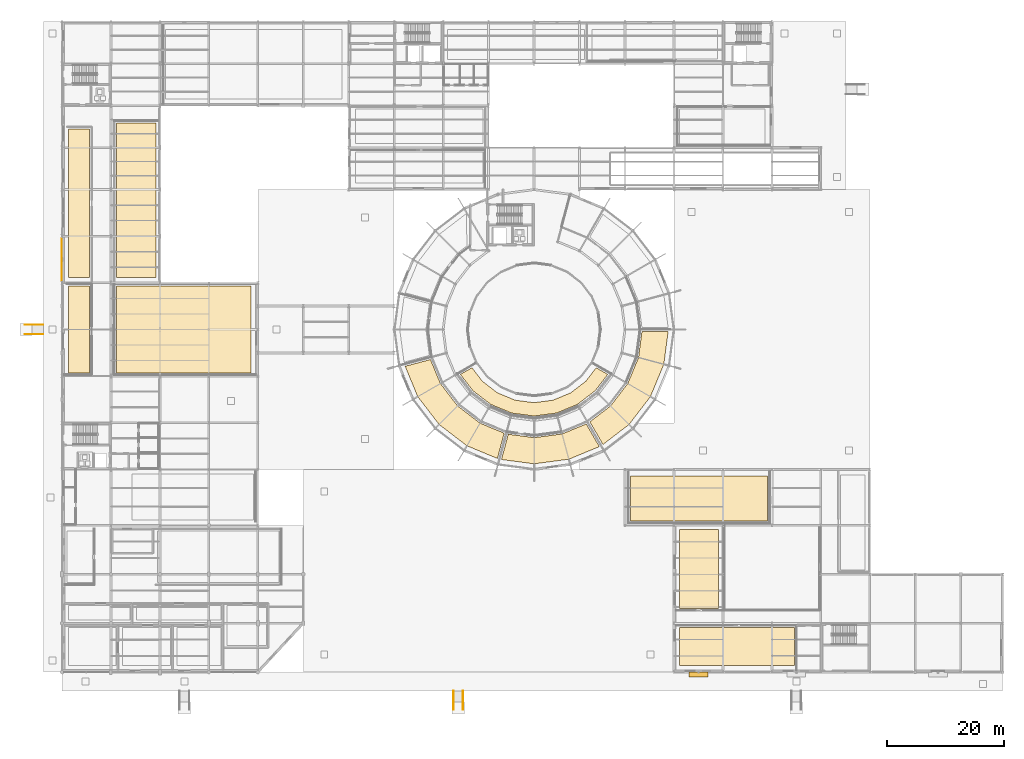
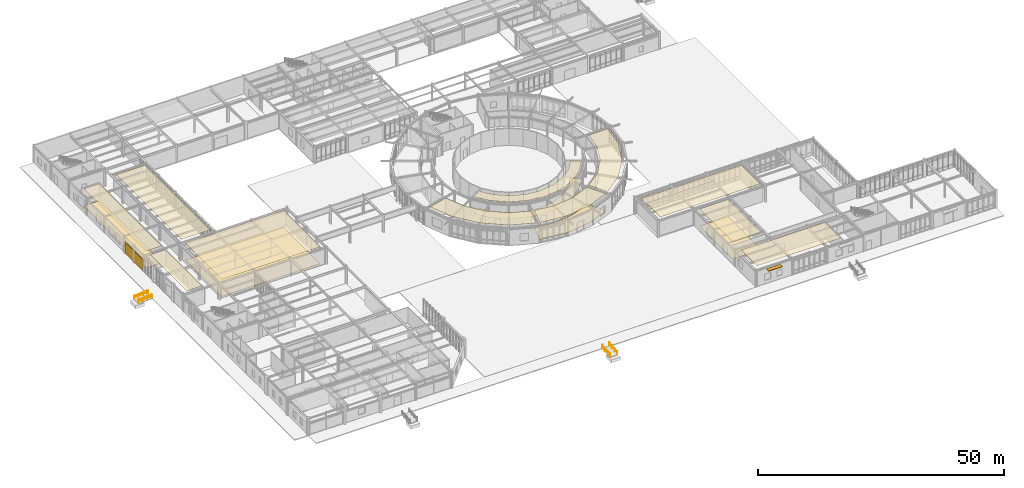
# One storey, part 93 of 101: 17 coverings, 4 railings, 1 shading device.
"""IFC4 building model written with IfcOpenShell, lengths in metres."""

from ifc_helpers import new_model, si_unit, derived_unit, direction, frame, origin, origin_2d, place, context, subcontext, project, spatial, polyline, rectangle, circle, outline, extrude, material, layer, layer_set, type_object, element, save


model = new_model("IFC4")

# Units and contexts
model_context = context("Model", 3, precision=1e-05, world=origin(), true_north=direction((0.0, 1.0)))
body_context = subcontext(model_context, "Body", "Model", "MODEL_VIEW")
ifc_project = project(units=[si_unit("LENGTHUNIT", "METRE"), si_unit("AREAUNIT", "SQUARE_METRE"), si_unit("VOLUMEUNIT", "CUBIC_METRE"), si_unit("PLANEANGLEUNIT", "RADIAN"), si_unit("MASSUNIT", "GRAM", prefix="KILO"), derived_unit("THERMALTRANSMITTANCEUNIT", [(si_unit("POWERUNIT", "WATT"), 1), (si_unit("AREAUNIT", "SQUARE_METRE"), -1), (si_unit("THERMODYNAMICTEMPERATUREUNIT", "KELVIN"), -1)])], contexts=[model_context])

# Site, building, storey
site_placement = place(None, origin())
site = spatial("IfcSite", under=ifc_project, at=site_placement, CompositionType="ELEMENT")
building_placement = place(site_placement, origin())
building = spatial("IfcBuilding", under=site, at=building_placement, Name="Yasenodar Specialist Clinic", CompositionType="ELEMENT")
storey_placement = place(building_placement, origin())
storey = spatial("IfcBuildingStorey", under=building, at=storey_placement, Name="L00", CompositionType="ELEMENT", Elevation=0.0)

# Coverings
ifc_material_1 = material(Name="Hygienic Acoustic Mineral-Fibre Ceiling")
ifc_layer_1 = layer(ifc_material_1, 0.02490234375)
ifc_layer_set_1 = layer_set([ifc_layer_1], Name="Hygienic Acoustic Mineral-Fibre Ceiling")
covering_type_1 = type_object("IfcCoveringType", Name="COV-CEIL-AC", PredefinedType="CEILING", material=ifc_layer_set_1)
covering_1_placement = place(storey_placement, frame((0.0, 0.0, 4.22509765625)))
element("IfcCovering", 1, at=covering_1_placement, inside=storey, type_object=covering_type_1, Name="L00 Dialysis Treatment Suite B Acoustic Ceiling", PredefinedType="CEILING", context=body_context, shape_type="SweptSolid", body=[
    extrude(outline(polyline([(64.943115234375, 49.511962890625), (64.9609375, 49.487060546875), (67.85302734375, 45.718017578125), (67.873046875, 45.694091796875), (67.89404296875, 45.673095703125), (67.91796875, 45.653076171875), (71.68701171875, 42.760986328125), (71.7119140625, 42.742919921875), (71.738037109375, 42.72802734375), (71.76611328125, 42.715087890625), (75.8720703125, 41.013916015625), (74.708984375, 36.673095703125), (69.47705078125, 38.841064453125), (64.702880859375, 42.5029296875), (61.041015625, 47.277099609375), (58.881103515625, 52.489990234375), (63.221923828125, 53.653076171875), (64.9150390625, 49.56591796875), (64.927978515625, 49.5380859375), (64.943115234375, 49.511962890625)])), origin(), (0.0, 0.0, 1.0), 0.02490234375),
])
covering_2_placement = place(storey_placement, frame((0.0, 0.0, 4.22509765625)))
element("IfcCovering", 2, at=covering_2_placement, inside=storey, type_object=covering_type_1, Name="L00 Infusion Nurse Preparation Station Acoustic Ceiling", PredefinedType="CEILING", context=body_context, shape_type="SweptSolid", body=[
    extrude(outline(polyline([(81.014892578125, 40.25), (81.0458984375, 40.2529296875), (85.756103515625, 40.873046875), (85.785888671875, 40.8779296875), (85.81591796875, 40.885986328125), (85.843994140625, 40.89697265625), (89.949951171875, 42.596923828125), (92.197021484375, 38.7060546875), (86.965087890625, 36.5380859375), (81.0, 35.7529296875), (75.405029296875, 36.489990234375), (76.568115234375, 40.830078125), (80.9541015625, 40.2529296875), (80.985107421875, 40.25), (81.014892578125, 40.25)])), origin(), (0.0, 0.0, 1.0), 0.02490234375),
])
covering_3_placement = place(storey_placement, frame((0.0, 0.0, 4.22509765625)))
element("IfcCovering", 3, at=covering_3_placement, inside=storey, type_object=covering_type_1, Name="L00 Immunotherapy Infusion Suite Acoustic Ceiling", PredefinedType="CEILING", context=body_context, shape_type="SweptSolid", body=[
    extrude(outline(polyline([(97.297119140625, 42.5029296875), (92.820068359375, 39.068115234375), (90.572998046875, 42.9599609375), (94.08203125, 45.653076171875), (94.10595703125, 45.673095703125), (94.126953125, 45.694091796875), (94.14697265625, 45.718017578125), (97.0390625, 49.487060546875), (97.056884765625, 49.511962890625), (97.072021484375, 49.5380859375), (97.0849609375, 49.56591796875), (98.903076171875, 53.9560546875), (98.9140625, 53.98388671875), (98.922119140625, 54.013916015625), (98.927001953125, 54.0439453125), (99.50390625, 58.429931640625), (103.998046875, 58.429931640625), (103.261962890625, 52.8349609375), (100.958984375, 47.277099609375), (97.297119140625, 42.5029296875)])), origin(), (0.0, 0.0, 1.0), 0.02490234375),
])
covering_4_placement = place(storey_placement, frame((0.0, 0.0, 4.22509765625)))
element("IfcCovering", 4, at=covering_4_placement, inside=storey, type_object=covering_type_1, Name="L00 Patient Nutrition and Counseling Room Acoustic Ceiling", PredefinedType="CEILING", context=body_context, shape_type="SweptSolid", body=[
    extrude(outline(polyline([(72.114990234375, 49.93701171875), (72.136962890625, 49.9150390625), (72.159912109375, 49.89599609375), (74.68701171875, 47.95703125), (74.7119140625, 47.93896484375), (74.738037109375, 47.924072265625), (74.76611328125, 47.910888671875), (77.7080078125, 46.69189453125), (77.737060546875, 46.681884765625), (77.76708984375, 46.674072265625), (77.797119140625, 46.6689453125), (80.9541015625, 46.2529296875), (80.985107421875, 46.25), (81.014892578125, 46.25), (81.0458984375, 46.2529296875), (84.202880859375, 46.6689453125), (84.23291015625, 46.674072265625), (84.262939453125, 46.681884765625), (84.2919921875, 46.69189453125), (87.23388671875, 47.910888671875), (87.261962890625, 47.924072265625), (87.2880859375, 47.93896484375), (87.31298828125, 47.95703125), (89.840087890625, 49.89599609375), (89.863037109375, 49.9150390625), (89.885009765625, 49.93701171875), (89.904052734375, 49.9599609375), (91.656005859375, 52.242919921875), (93.64306640625, 51.095947265625), (91.498046875, 48.302001953125), (88.423095703125, 45.94189453125), (84.843017578125, 44.458984375), (81.0, 43.952880859375), (77.156982421875, 44.458984375), (73.576904296875, 45.94189453125), (70.501953125, 48.302001953125), (68.35693359375, 51.095947265625), (70.343994140625, 52.242919921875), (72.095947265625, 49.9599609375), (72.114990234375, 49.93701171875)])), origin(), (0.0, 0.0, 1.0), 0.02490234375),
])
covering_5_placement = place(storey_placement, frame((0.0, 0.0, 4.22509765625)))
element("IfcCovering", 5, at=covering_5_placement, inside=storey, type_object=covering_type_1, Name="L00 Charbagh Conservatory Concourse Acoustic Ceiling", PredefinedType="CEILING", context=body_context, shape_type="SweptSolid", body=[
    extrude(outline(polyline([(121.050048828125, 25.949951171875), (97.550048828125, 25.949951171875), (97.550048828125, 33.64990234375), (121.050048828125, 33.64990234375), (121.050048828125, 25.949951171875)])), origin(), (0.0, 0.0, 1.0), 0.02490234375),
])
covering_6_placement = place(storey_placement, frame((0.0, 0.0, 4.22509765625)))
element("IfcCovering", 6, at=covering_6_placement, inside=storey, type_object=covering_type_1, Name="L00 Aquatic Therapy Accessible Changing Suite Acoustic Ceiling", PredefinedType="CEILING", context=body_context, shape_type="SweptSolid", body=[
    extrude(outline(polyline([(112.64990234375, 24.449951171875), (112.64990234375, 10.949951171875), (105.949951171875, 10.949951171875), (105.949951171875, 24.449951171875), (112.64990234375, 24.449951171875)])), origin(), (0.0, 0.0, 1.0), 0.02490234375),
])
covering_7_placement = place(storey_placement, frame((0.0, 0.0, 4.22509765625)))
element("IfcCovering", 7, at=covering_7_placement, inside=storey, type_object=covering_type_1, Name="L00 Physiotherapy Kinesiotherapy Gym Acoustic Ceiling", PredefinedType="CEILING", context=body_context, shape_type="SweptSolid", body=[
    extrude(outline(polyline([(125.64990234375, 1.14990234375), (105.949951171875, 1.14990234375), (105.949951171875, 7.64990234375), (125.64990234375, 7.64990234375), (125.64990234375, 1.14990234375)])), origin(), (0.0, 0.0, 1.0), 0.02490234375),
])
covering_8_placement = place(storey_placement, frame((0.0, 0.0, 4.22509765625)))
element("IfcCovering", 8, at=covering_8_placement, inside=storey, type_object=covering_type_1, Name="L00 Pishtaq Entrance Hall Acoustic Ceiling", PredefinedType="CEILING", context=body_context, shape_type="SweptSolid", body=[
    extrude(outline(polyline([(4.75, 51.35009765625), (1.14990234375, 51.35009765625), (1.14990234375, 66.25), (4.75, 66.25), (4.75, 51.35009765625)])), origin(), (0.0, 0.0, 1.0), 0.02490234375),
])
covering_9_placement = place(storey_placement, frame((0.0, 0.0, 4.22509765625)))
element("IfcCovering", 9, at=covering_9_placement, inside=storey, type_object=covering_type_1, Name="L00 Outpatient Registration and Triage Hall Acoustic Ceiling", PredefinedType="CEILING", context=body_context, shape_type="SweptSolid", body=[
    extrude(outline(polyline([(32.449951171875, 51.35009765625), (9.35009765625, 51.35009765625), (9.35009765625, 66.25), (32.449951171875, 66.25), (32.449951171875, 51.35009765625)])), origin(), (0.0, 0.0, 1.0), 0.02490234375),
])
covering_10_placement = place(storey_placement, frame((0.0, 0.0, 4.22509765625)))
element("IfcCovering", 10, at=covering_10_placement, inside=storey, type_object=covering_type_1, Name="L00 Internal Medicine Examination Rooms Acoustic Ceiling", PredefinedType="CEILING", context=body_context, shape_type="SweptSolid", body=[
    extrude(outline(polyline([(4.75, 93.199951171875), (4.75, 67.75), (1.14990234375, 67.75), (1.14990234375, 93.199951171875), (4.75, 93.199951171875)])), origin(), (0.0, 0.0, 1.0), 0.02490234375),
])
covering_11_placement = place(storey_placement, frame((0.0, 0.0, 4.22509765625)))
element("IfcCovering", 11, at=covering_11_placement, inside=storey, type_object=covering_type_1, Name="L00 Family Medicine Consulting Suite Acoustic Ceiling", PredefinedType="CEILING", context=body_context, shape_type="SweptSolid", body=[
    extrude(outline(polyline([(16.10009765625, 94.25), (16.10009765625, 67.75), (9.35009765625, 67.75), (9.35009765625, 94.25), (16.10009765625, 94.25)])), origin(), (0.0, 0.0, 1.0), 0.02490234375),
])
ifc_material_2 = material(Name="Kapustianske Red Granite Ashlar Cladding", Category="masonry")
ifc_layer_2 = layer(ifc_material_2, 0.0400390625)
ifc_layer_set_2 = layer_set([ifc_layer_2], Name="Kapustianske Red Granite Ashlar Cladding")
covering_type_2 = type_object("IfcCoveringType", Name="COV-CLAD-GRAN", PredefinedType="CLADDING", material=ifc_layer_set_2)
covering_12_placement = place(storey_placement, frame((-0.028076171875, 70.800048828125, 0.14990234375), z_axis=(0.0, 0.0, 1.0), x_axis=(0.0, 1.0, 0.0)))
element("IfcCovering", 12, at=covering_12_placement, inside=storey, type_object=covering_type_2, Name="L00 Granite Ashlar Rainscreen Panel 0083", PredefinedType="CLADDING", context=body_context, shape_type="SweptSolid", body=[
    extrude(rectangle(XDim=7.300048828125, YDim=0.0400390625, at=origin_2d()), origin(), (0.0, 0.0, 1.0), 2.778076171875),
])
ifc_material_3 = material(Name="Seamless Epoxy Terrazzo Clinical Flooring")
ifc_layer_3 = layer(ifc_material_3, 0.02001953125)
ifc_layer_set_3 = layer_set([ifc_layer_3], Name="Seamless Epoxy Terrazzo Clinical Flooring")
covering_type_3 = type_object("IfcCoveringType", Name="COV-FLR-TERR", PredefinedType="FLOORING", material=ifc_layer_set_3)
covering_13_placement = place(storey_placement, origin())
element("IfcCovering", 13, at=covering_13_placement, inside=storey, type_object=covering_type_3, Name="L00 Infusion Nurse Preparation Station Terrazzo Flooring", PredefinedType="FLOORING", context=body_context, shape_type="SweptSolid", body=[
    extrude(outline(polyline([(81.014892578125, 40.25), (81.0458984375, 40.2529296875), (85.756103515625, 40.873046875), (85.785888671875, 40.8779296875), (85.81591796875, 40.885986328125), (85.843994140625, 40.89697265625), (89.949951171875, 42.596923828125), (92.197021484375, 38.7060546875), (86.965087890625, 36.5380859375), (81.0, 35.7529296875), (75.405029296875, 36.489990234375), (76.568115234375, 40.830078125), (80.9541015625, 40.2529296875), (80.985107421875, 40.25), (81.014892578125, 40.25)])), origin(), (0.0, 0.0, 1.0), 0.02001953125),
])
covering_14_placement = place(storey_placement, origin())
element("IfcCovering", 14, at=covering_14_placement, inside=storey, type_object=covering_type_3, Name="L00 Patient Nutrition and Counseling Room Terrazzo Flooring", PredefinedType="FLOORING", context=body_context, shape_type="SweptSolid", body=[
    extrude(outline(polyline([(72.114990234375, 49.93701171875), (72.136962890625, 49.9150390625), (72.159912109375, 49.89599609375), (74.68701171875, 47.95703125), (74.7119140625, 47.93896484375), (74.738037109375, 47.924072265625), (74.76611328125, 47.910888671875), (77.7080078125, 46.69189453125), (77.737060546875, 46.681884765625), (77.76708984375, 46.674072265625), (77.797119140625, 46.6689453125), (80.9541015625, 46.2529296875), (80.985107421875, 46.25), (81.014892578125, 46.25), (81.0458984375, 46.2529296875), (84.202880859375, 46.6689453125), (84.23291015625, 46.674072265625), (84.262939453125, 46.681884765625), (84.2919921875, 46.69189453125), (87.23388671875, 47.910888671875), (87.261962890625, 47.924072265625), (87.2880859375, 47.93896484375), (87.31298828125, 47.95703125), (89.840087890625, 49.89599609375), (89.863037109375, 49.9150390625), (89.885009765625, 49.93701171875), (89.904052734375, 49.9599609375), (91.656005859375, 52.242919921875), (93.64306640625, 51.095947265625), (91.498046875, 48.302001953125), (88.423095703125, 45.94189453125), (84.843017578125, 44.458984375), (81.0, 43.952880859375), (77.156982421875, 44.458984375), (73.576904296875, 45.94189453125), (70.501953125, 48.302001953125), (68.35693359375, 51.095947265625), (70.343994140625, 52.242919921875), (72.095947265625, 49.9599609375), (72.114990234375, 49.93701171875)])), origin(), (0.0, 0.0, 1.0), 0.02001953125),
])
covering_15_placement = place(storey_placement, origin())
element("IfcCovering", 15, at=covering_15_placement, inside=storey, type_object=covering_type_3, Name="L00 Aquatic Therapy Accessible Changing Suite Terrazzo Flooring", PredefinedType="FLOORING", context=body_context, shape_type="SweptSolid", body=[
    extrude(outline(polyline([(112.64990234375, 24.449951171875), (112.64990234375, 10.949951171875), (105.949951171875, 10.949951171875), (105.949951171875, 24.449951171875), (112.64990234375, 24.449951171875)])), origin(), (0.0, 0.0, 1.0), 0.02001953125),
])
covering_16_placement = place(storey_placement, origin())
element("IfcCovering", 16, at=covering_16_placement, inside=storey, type_object=covering_type_3, Name="L00 Outpatient Registration and Triage Hall Terrazzo Flooring", PredefinedType="FLOORING", context=body_context, shape_type="SweptSolid", body=[
    extrude(outline(polyline([(32.449951171875, 51.35009765625), (9.35009765625, 51.35009765625), (9.35009765625, 66.25), (32.449951171875, 66.25), (32.449951171875, 51.35009765625)])), origin(), (0.0, 0.0, 1.0), 0.02001953125),
])
covering_17_placement = place(storey_placement, origin())
element("IfcCovering", 17, at=covering_17_placement, inside=storey, type_object=covering_type_3, Name="L00 Internal Medicine Examination Rooms Terrazzo Flooring", PredefinedType="FLOORING", context=body_context, shape_type="SweptSolid", body=[
    extrude(outline(polyline([(4.75, 93.199951171875), (4.75, 67.75), (1.14990234375, 67.75), (1.14990234375, 93.199951171875), (4.75, 93.199951171875)])), origin(), (0.0, 0.0, 1.0), 0.02001953125),
])

# Railings
ifc_material_4 = material(Name="Brushed Stainless Steel Handrail", Category="steel")
railing_type = type_object("IfcRailingType", Name="RL-ST-HND", PredefinedType="HANDRAIL", material=ifc_material_4)
for number, where, name in (
    (18, (-6.39990234375, 59.6201171875, -0.199951171875), "West Pishtaq Accessible Approach Ramp Handrail L"),
    (19, (-6.39990234375, 57.97998046875, -0.199951171875), "West Pishtaq Accessible Approach Ramp Handrail R"),
):
    element("IfcRailing", number, at=place(storey_placement, frame(where)), inside=storey, type_object=railing_type, Name=name, PredefinedType="HANDRAIL", context=body_context, shape_type="SweptSolid", body=[
        extrude(circle(Radius=0.02392578125, at=origin_2d()), frame((0.0, 0.0, 0.8759765625), z_axis=(0.998053467252, 0.0, 0.062364064216), x_axis=(0.0, 1.0, 0.0)), (0.0, 0.0, 1.0), 3.206298828125),
        extrude(circle(Radius=0.02392578125, at=origin_2d()), frame((0.0, 0.0, 0.468017578125), z_axis=(0.998053467252, 0.0, 0.062364064216), x_axis=(0.0, 1.0, 0.0)), (0.0, 0.0, 1.0), 3.206298828125),
        extrude(circle(Radius=0.02099609375, at=origin_2d()), origin(), (0.0, 0.0, 1.0), 0.851806640625),
        extrude(circle(Radius=0.02099609375, at=origin_2d()), frame((1.066650390625, 0.0, 0.066650390625)), (0.0, 0.0, 1.0), 0.851806640625),
        extrude(circle(Radius=0.02099609375, at=origin_2d()), frame((2.13330078125, 0.0, 0.13330078125)), (0.0, 0.0, 1.0), 0.851806640625),
        extrude(circle(Radius=0.02099609375, at=origin_2d()), frame((3.199951171875, 0.0, 0.199951171875)), (0.0, 0.0, 1.0), 0.851806640625),
    ])
for number, where, name in (
    (20, (67.179931640625, -6.39990234375, -0.199951171875), "South Drum Garden Accessible Approach Ramp Handrail L"),
    (21, (68.820068359375, -6.39990234375, -0.199951171875), "South Drum Garden Accessible Approach Ramp Handrail R"),
):
    element("IfcRailing", number, at=place(storey_placement, frame(where)), inside=storey, type_object=railing_type, Name=name, PredefinedType="HANDRAIL", context=body_context, shape_type="SweptSolid", body=[
        extrude(circle(Radius=0.02392578125, at=origin_2d()), frame((0.0, 0.0, 0.8759765625), z_axis=(0.0, 0.998053467252, 0.062364064216), x_axis=(-1.0, 0.0, 0.0)), (0.0, 0.0, 1.0), 3.206298828125),
        extrude(circle(Radius=0.02392578125, at=origin_2d()), frame((0.0, 0.0, 0.468017578125), z_axis=(0.0, 0.998053467252, 0.062364064216), x_axis=(-1.0, 0.0, 0.0)), (0.0, 0.0, 1.0), 3.206298828125),
        extrude(circle(Radius=0.02099609375, at=origin_2d()), origin(), (0.0, 0.0, 1.0), 0.851806640625),
        extrude(circle(Radius=0.02099609375, at=origin_2d()), frame((0.0, 1.066650390625, 0.066650390625)), (0.0, 0.0, 1.0), 0.851806640625),
        extrude(circle(Radius=0.02099609375, at=origin_2d()), frame((0.0, 2.13330078125, 0.13330078125)), (0.0, 0.0, 1.0), 0.851806640625),
        extrude(circle(Radius=0.02099609375, at=origin_2d()), frame((0.0, 3.199951171875, 0.199951171875)), (0.0, 0.0, 1.0), 0.851806640625),
    ])

# Shading device
ifc_material_5 = material(Name="Bronze Anodized Aluminium Chhajja Sunshade", Category="aluminium")
shading_device_type = type_object("IfcShadingDeviceType", Name="SHD-CHHAJJA-850", PredefinedType="JALOUSIE", material=ifc_material_5)
shading_device_placement = place(storey_placement, frame((109.199951171875, -0.389892578125, 3.4580078125), z_axis=(0.0, 0.0, 1.0), x_axis=(-1.0, 0.0, 0.0)))
element("IfcShadingDevice", 22, at=shading_device_placement, inside=storey, type_object=shading_device_type, Name="L00 Chhajja Solar Overhang 447", PredefinedType="JALOUSIE", context=body_context, shape_type="SweptSolid", body=[
    extrude(rectangle(XDim=3.199951171875, YDim=0.85009765625, at=origin_2d()), origin(), (0.0, 0.0, 1.0), 0.139892578125),
])

save(model, "model.ifc")
